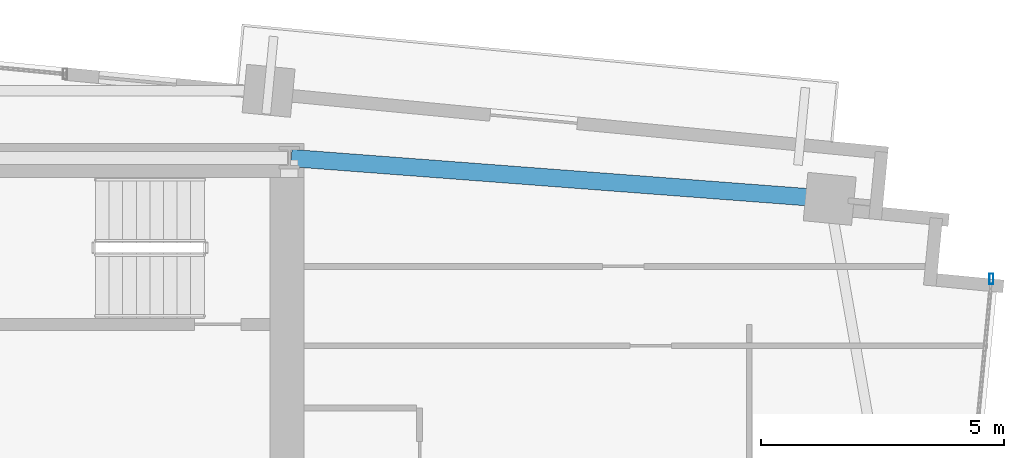
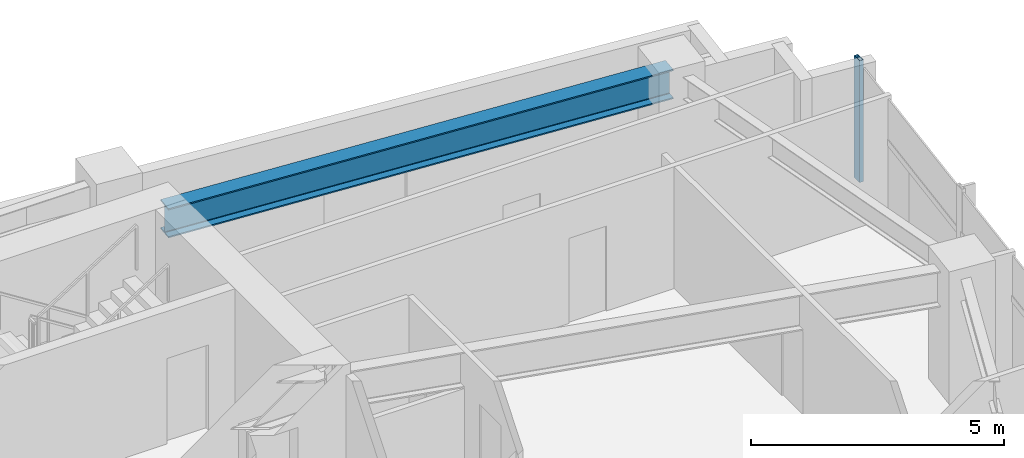
# One storey, part 13 of 20: 1 beam, 1 member, 1 element without a shape of its own.
"""IFC4 building model written with IfcOpenShell, lengths in metres."""

from ifc_helpers import new_model, si_unit, direction, frame, origin, origin_2d, place, context, subcontext, project, spatial, hollow_rectangle, i_section, extrude, source, transform, mapped, material, material_profile, profile_set, type_object, type_shapes, element, aggregate, save


model = new_model("IFC4")

# Units and contexts
model_context = context("Model", 3, precision=1e-05, world=origin(), true_north=direction((0.0, 1.0)))
body_context = subcontext(model_context, "Body", "Model", "MODEL_VIEW")
ifc_project = project(units=[si_unit("LENGTHUNIT", "METRE"), si_unit("AREAUNIT", "SQUARE_METRE"), si_unit("VOLUMEUNIT", "CUBIC_METRE"), si_unit("PLANEANGLEUNIT", "RADIAN"), si_unit("MASSUNIT", "GRAM", prefix="KILO")], contexts=[model_context])

# Site, building, storey
site_placement = place(None, origin())
site = spatial("IfcSite", under=ifc_project, at=site_placement, CompositionType="ELEMENT")
building_placement = place(site_placement, origin())
building = spatial("IfcBuilding", under=site, at=building_placement, Name="Astriad Promenade Condominiums", CompositionType="ELEMENT")
storey_placement = place(building_placement, frame((0.0, 0.0, 137.39990234375)))
storey = spatial("IfcBuildingStorey", under=building, at=storey_placement, Name="L39", CompositionType="ELEMENT", Elevation=137.39990234375)

# Beam
ifc_material_1 = material(Name="Steel ASTM A992 Grade 50", Category="steel")
ifc_material_profile_1 = material_profile(ifc_material_1, i_section(OverallWidth=0.35791015625, OverallDepth=0.706298828125, WebThickness=0.018310546875, FlangeThickness=0.0302734375, FilletRadius=0.020263671875, at=origin_2d()), Name="W27X178")
ifc_profile_set_1 = profile_set([ifc_material_profile_1], Name="Steel ASTM A992 Grade 50")
beam_type = type_object("IfcBeamType", Name="STEEL FLOOR GIRDER W27X178", PredefinedType="BEAM", material=ifc_profile_set_1)
shared_shape_1 = source(origin(), body_context, "Body", "SweptSolid", [
    extrude(i_section(OverallWidth=0.35791015625, OverallDepth=0.706298828125, WebThickness=0.018310546875, FlangeThickness=0.0302734375, FilletRadius=0.020263671875, at=origin_2d()), origin(), (0.0, 0.0, 1.0), 11.0712890625),
])
type_shapes(beam_type, [shared_shape_1])
beam_placement = place(storey_placement, frame((56.679443359375, 23.15966796875, 2.5869140625), z_axis=(-0.997135384808, 0.075637453445, 0.0), x_axis=(-0.075637453445, -0.997135384808, 0.0)))
element("IfcBeam", 1, at=beam_placement, inside=storey, type_object=beam_type, Name="Primary Floor Girder PG-NE-L39", PredefinedType="BEAM", context=body_context, shape_type="MappedRepresentation", body=[
    mapped(shared_shape_1, transform((0.0, 0.0, 0.0), scale=1.0)),
])

# Curtain wall, member
ifc_material_2 = material(Name="Anodised aluminium Black Dark Glass Unitised", Category="aluminium")
curtain_wall_type = type_object("IfcCurtainWallType", Name="CW-B34-DARK", PredefinedType="USERDEFINED", material=ifc_material_2)
curtain_wall_placement = place(storey_placement, origin())
curtain_wall = element("IfcCurtainWall", 2, at=curtain_wall_placement, inside=storey, type_object=curtain_wall_type, Name="CW-L39-E", ObjectType="UNITISED_CURTAIN_WALL", PredefinedType="USERDEFINED")
ifc_material_3 = material(Name="Anodised aluminium 6063-T6 Black", Category="aluminium")
ifc_material_profile_2 = material_profile(ifc_material_3, hollow_rectangle(XDim=0.0849609375, YDim=0.219970703125, WallThickness=0.0048828125, at=origin_2d()), Name="ALU-MUL-85X220")
ifc_profile_set_2 = profile_set([ifc_material_profile_2], Name="Anodised aluminium 6063-T6 Black")
member_type = type_object("IfcMemberType", Name="MUL-ALU-MUL-85X220", PredefinedType="MULLION", material=ifc_profile_set_2)
shared_shape_2 = source(origin(), body_context, "Body", "SweptSolid", [
    extrude(hollow_rectangle(XDim=0.0849609375, YDim=0.219970703125, WallThickness=0.0048828125, at=origin_2d()), origin(), (0.0, 0.0, 1.0), 2.940185546875),
])
type_shapes(member_type, [shared_shape_2])
member_placement = place(storey_placement, frame((60.046875, 21.51025390625, 0.0), z_axis=(0.0, 0.0, 1.0), x_axis=(1.0, 0.0, 0.0)))
member = element("IfcMember", 3, at=member_placement, type_object=member_type, Name="CW-L39-E-MUL-00", PredefinedType="MULLION", context=body_context, shape_type="MappedRepresentation", body=[
    mapped(shared_shape_2, transform((0.0, 0.0, 0.0), scale=1.0)),
])
aggregate(curtain_wall, [member])

save(model, "model.ifc")
